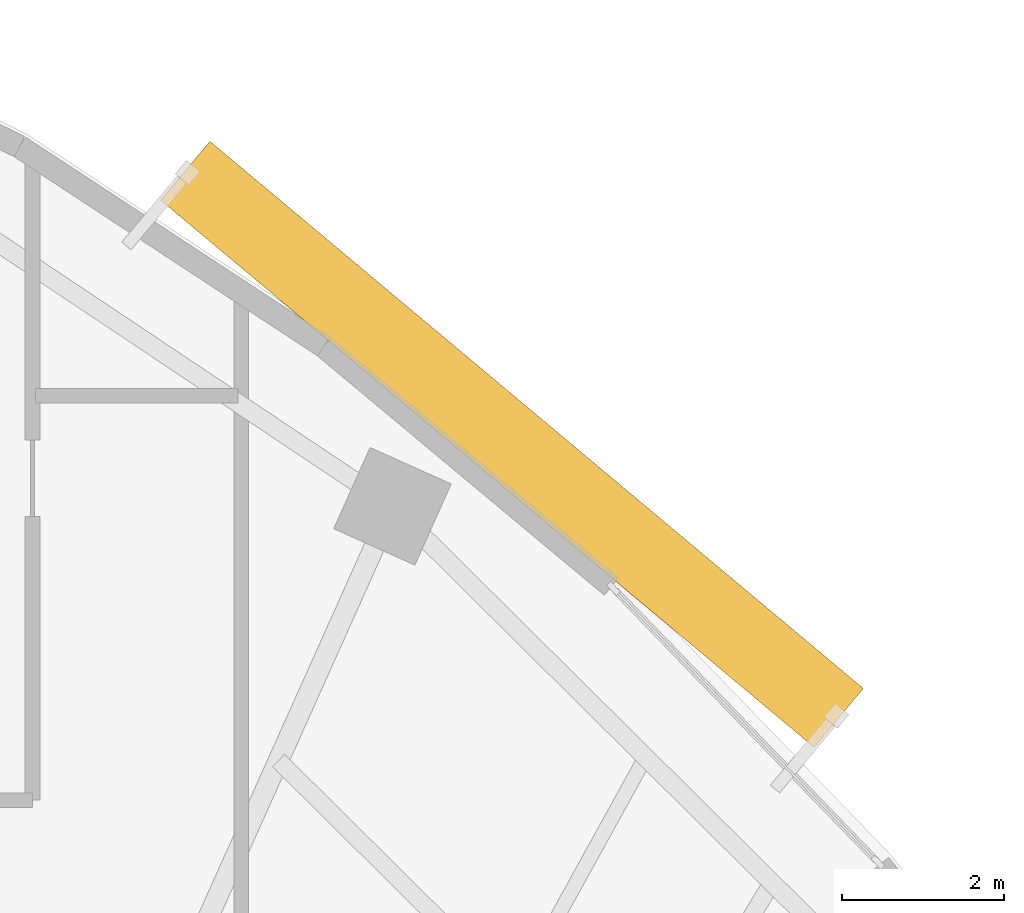
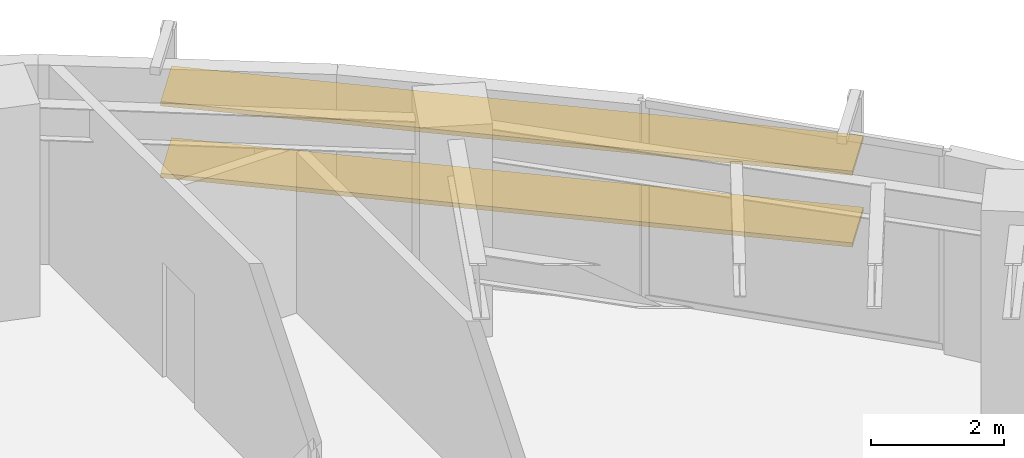
# One storey, part 13 of 13: 2 shading devices.
"""IFC4 building model written with IfcOpenShell, lengths in metres."""

from ifc_helpers import new_model, si_unit, direction, frame, origin, origin_2d, place, context, subcontext, project, spatial, rectangle, extrude, source, transform, mapped, material, material_profile, profile_set, type_object, element, save


model = new_model("IFC4")

# Units and contexts
model_context = context("Model", 3, precision=1e-05, world=origin(), true_north=direction((0.0, 1.0)))
body_context = subcontext(model_context, "Body", "Model", "MODEL_VIEW")
ifc_project = project(units=[si_unit("LENGTHUNIT", "METRE"), si_unit("AREAUNIT", "SQUARE_METRE"), si_unit("VOLUMEUNIT", "CUBIC_METRE"), si_unit("PLANEANGLEUNIT", "RADIAN"), si_unit("MASSUNIT", "GRAM", prefix="KILO")], contexts=[model_context])

# Site, building, storey
site_placement = place(None, origin())
site = spatial("IfcSite", under=ifc_project, at=site_placement, CompositionType="ELEMENT")
building_placement = place(site_placement, origin())
building = spatial("IfcBuilding", under=site, at=building_placement, Name="Breltana Convention Tower", CompositionType="ELEMENT")
storey_placement = place(building_placement, frame((0.0, 0.0, 166.199951171875)))
storey = spatial("IfcBuildingStorey", under=building, at=storey_placement, Name="L40", CompositionType="ELEMENT", Elevation=166.199951171875)

# Shading devices
ifc_material = material(Name="Limestone Warm Buff Honed", Category="masonry")
ifc_material_profile = material_profile(ifc_material, rectangle(XDim=0.949951171875, YDim=0.080078125, at=origin_2d()), Name="STN-LVR-950X80")
ifc_profile_set = profile_set([ifc_material_profile], Name="Limestone Warm Buff Honed")
shading_device_type = type_object("IfcShadingDeviceType", Name="SHD-OUTER-SKIN-LIMESTONE-950", PredefinedType="JALOUSIE", material=ifc_profile_set)
shared_shape = source(origin(), body_context, "Body", "SweptSolid", [
    extrude(rectangle(XDim=0.949951171875, YDim=0.080078125, at=origin_2d()), origin(), (0.0, 0.0, 1.0), 10.538330078125),
])
for number, where, z_axis, x_axis, name in (
    (1, (66.34814453125, 72.782958984375, 1.31396484375), (0.766705694316, -0.641998736996, 0.0), (0.641998736996, 0.766705694316, 0.0), "L40 outer skin warm limestone louvre 2.1"),
    (2, (66.34814453125, 72.782958984375, 2.6279296875), (0.766705694316, -0.641998736996, 0.0), (0.641998736996, 0.766705694316, 0.0), "L40 outer skin warm limestone louvre 2.2"),
):
    element("IfcShadingDevice", number, at=place(storey_placement, frame(where, z_axis=z_axis, x_axis=x_axis)), inside=storey, type_object=shading_device_type, Name=name, PredefinedType="JALOUSIE", context=body_context, shape_type="MappedRepresentation", body=[
        mapped(shared_shape, transform((0.0, 0.0, 0.0), scale=1.0)),
    ])

save(model, "model.ifc")
